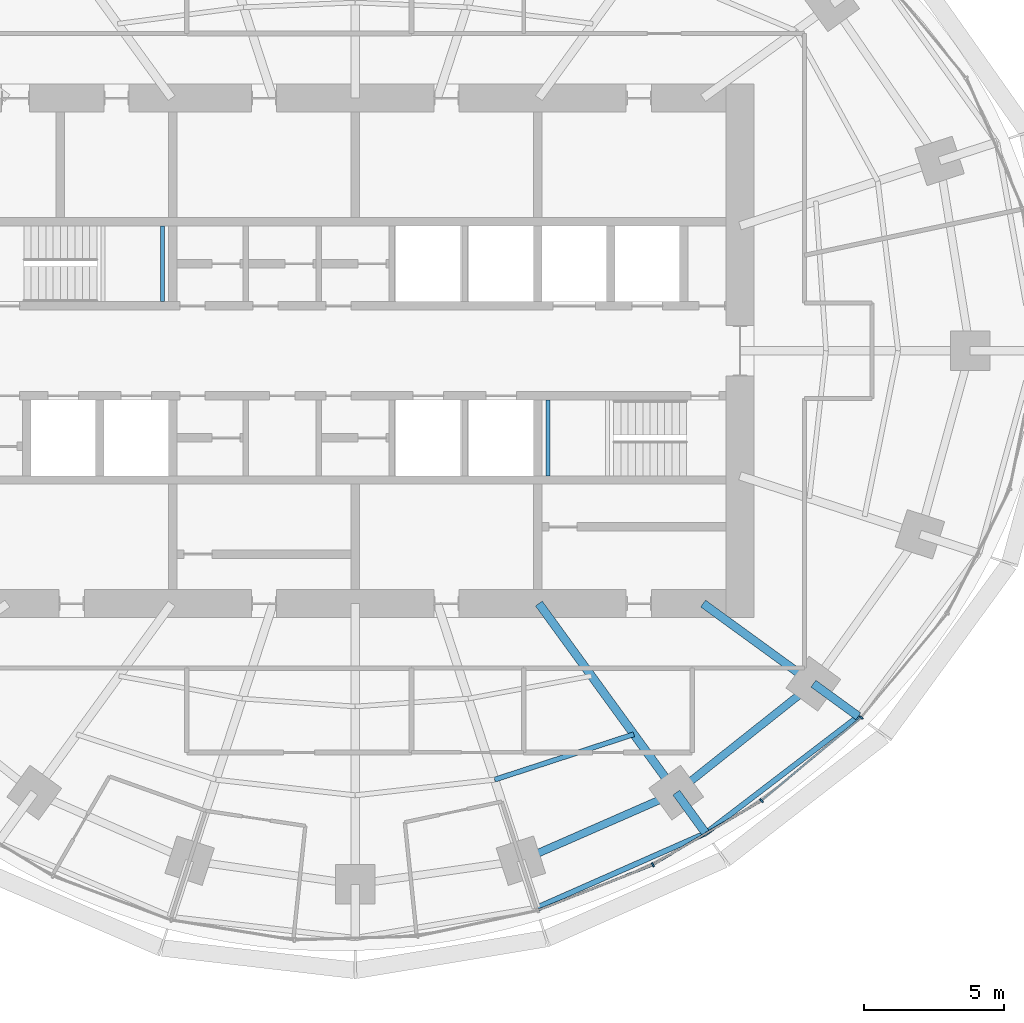
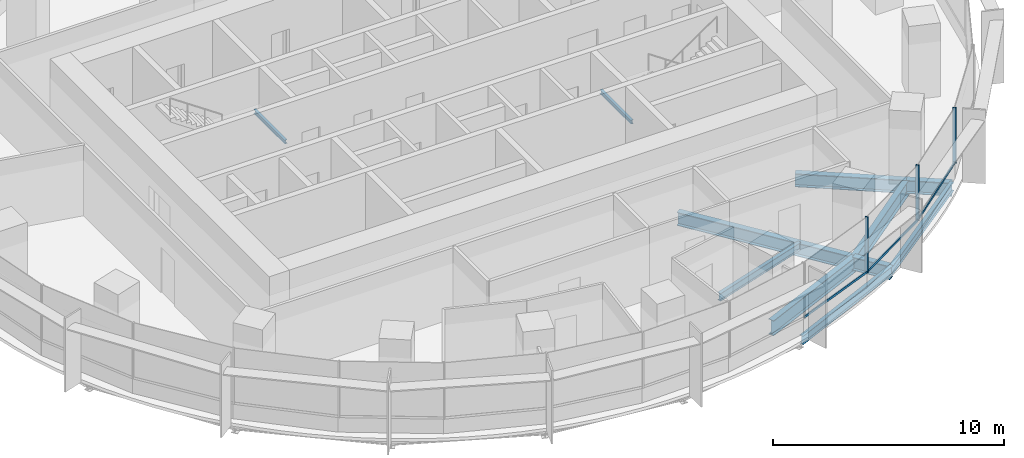
# One storey, part 5 of 15: 11 beams, 6 members, 2 elements without a shape of their own.
"""IFC4 building model written with IfcOpenShell, lengths in metres."""

from ifc_helpers import new_model, si_unit, direction, frame, origin, origin_2d, place, context, subcontext, project, spatial, rectangle, i_section, extrude, material, material_profile, profile_set, type_object, element, aggregate, save


model = new_model("IFC4")

# Units and contexts
model_context = context("Model", 3, precision=1e-05, world=origin(), true_north=direction((0.0, 1.0)))
body_context = subcontext(model_context, "Body", "Model", "MODEL_VIEW")
ifc_project = project(units=[si_unit("LENGTHUNIT", "METRE"), si_unit("AREAUNIT", "SQUARE_METRE"), si_unit("VOLUMEUNIT", "CUBIC_METRE"), si_unit("PLANEANGLEUNIT", "RADIAN"), si_unit("MASSUNIT", "GRAM", prefix="KILO")], contexts=[model_context])

# Site, building, storey
site_placement = place(None, origin())
site = spatial("IfcSite", under=ifc_project, at=site_placement, CompositionType="ELEMENT")
building_placement = place(site_placement, origin())
building = spatial("IfcBuilding", under=site, at=building_placement, Name="Marramba Exchange Tower", CompositionType="ELEMENT")
storey_placement = place(building_placement, frame((0.0, 0.0, 226.699951171875)))
storey = spatial("IfcBuildingStorey", under=building, at=storey_placement, Name="L55", CompositionType="ELEMENT", Elevation=226.699951171875)

# Beams
ifc_material_1 = material(Name="Steel AS/NZS 3679.2 grade 300", Category="steel")
ifc_material_profile_1 = material_profile(ifc_material_1, i_section(OverallWidth=0.300048828125, OverallDepth=0.699951171875, WebThickness=0.010009765625, FlangeThickness=0.031982421875, at=origin_2d()), Name="700WB173")
ifc_profile_set_1 = profile_set([ifc_material_profile_1], Name="Steel AS/NZS 3679.2 grade 300")
beam_type_1 = type_object("IfcBeamType", Name="Cantilever girder 700WB173", PredefinedType="BEAM", material=ifc_profile_set_1)
beam_1_placement = place(storey_placement, frame((11.430419921875, -15.732666015625, -0.510009765625), z_axis=(0.58783009415, -0.808984412959, 0.0), x_axis=(0.808984412959, 0.58783009415, 0.0)))
element("IfcBeam", 1, at=beam_1_placement, inside=storey, type_object=beam_type_1, Name="Cantilever girder L55 TC18", PredefinedType="BEAM", context=body_context, shape_type="SweptSolid", body=[
    extrude(i_section(OverallWidth=0.300048828125, OverallDepth=0.699951171875, WebThickness=0.010009765625, FlangeThickness=0.031982421875, at=origin_2d()), origin(), (0.0, 0.0, 1.0), 1.78515625),
])
beam_2_placement = place(storey_placement, frame((16.3154296875, -11.853759765625, -0.510009765625), z_axis=(0.808970801893, -0.587848825537, 0.0), x_axis=(0.587848825537, 0.808970801893, 0.0)))
element("IfcBeam", 2, at=beam_2_placement, inside=storey, type_object=beam_type_1, Name="Cantilever girder L55 TC19", PredefinedType="BEAM", context=body_context, shape_type="SweptSolid", body=[
    extrude(i_section(OverallWidth=0.300048828125, OverallDepth=0.699951171875, WebThickness=0.010009765625, FlangeThickness=0.031982421875, at=origin_2d()), origin(), (0.0, 0.0, 1.0), 1.978515625),
])
ifc_material_2 = material(Name="Steel AS/NZS 3679.1 grade 300", Category="steel")
ifc_material_profile_2 = material_profile(ifc_material_2, i_section(OverallWidth=0.177978515625, OverallDepth=0.406005859375, WebThickness=0.0078125, FlangeThickness=0.0126953125, FilletRadius=0.011474609375, at=origin_2d()), Name="410UB59.7")
ifc_profile_set_2 = profile_set([ifc_material_profile_2], Name="Steel AS/NZS 3679.1 grade 300")
beam_type_2 = type_object("IfcBeamType", Name="Floor joist 410UB59.7", PredefinedType="JOIST", material=ifc_profile_set_2)
beam_3_placement = place(storey_placement, frame((4.9619140625, -15.271484375, -0.363037109375), z_axis=(0.950764024931, 0.309915744834, 0.0), x_axis=(-0.309915744834, 0.950764024931, 0.0)))
element("IfcBeam", 3, at=beam_3_placement, inside=storey, type_object=beam_type_2, Name="Joist L55 bay 17 row 2", PredefinedType="JOIST", context=body_context, shape_type="SweptSolid", body=[
    extrude(i_section(OverallWidth=0.177978515625, OverallDepth=0.406005859375, WebThickness=0.0078125, FlangeThickness=0.0126953125, FilletRadius=0.011474609375, at=origin_2d()), origin(), (0.0, 0.0, 1.0), 5.2158203125),
])

# Curtain wall, members
ifc_material_3 = material(Name="Aluminium framing, bronze anodised", Category="aluminium")
curtain_wall_type = type_object("IfcCurtainWallType", Name="Office ribbon curtain wall", PredefinedType="USERDEFINED", material=ifc_material_3)
curtain_wall_1_placement = place(storey_placement, origin())
curtain_wall_1 = element("IfcCurtainWall", 4, at=curtain_wall_1_placement, inside=storey, type_object=curtain_wall_type, Name="Curtain wall CW4 L55 F26-F30", ObjectType="RIBBON CURTAIN WALL", PredefinedType="USERDEFINED")
ifc_material_4 = material(Name="Aluminium mullion, bronze anodised", Category="aluminium")
ifc_material_profile_3 = material_profile(ifc_material_4, rectangle(XDim=0.159912109375, YDim=0.06005859375, at=origin_2d()), Name="CW4 mullion 60x160")
ifc_profile_set_3 = profile_set([ifc_material_profile_3], Name="Aluminium mullion, bronze anodised")
member_type_1 = type_object("IfcMemberType", Name="Office ribbon curtain wall mullion", PredefinedType="MULLION", material=ifc_profile_set_3)
member_1_placement = place(storey_placement, frame((10.60009765625, -18.2998046875, 0.800048828125), z_axis=(0.0, 0.0, 1.0), x_axis=(-0.508010571686, 0.861350833897, 0.0)))
member_1 = element("IfcMember", 5, at=member_1_placement, type_object=member_type_1, Name="CW4 mullion 1", PredefinedType="MULLION", context=body_context, shape_type="SweptSolid", body=[
    extrude(rectangle(XDim=0.159912109375, YDim=0.06005859375, at=origin_2d()), origin(), (0.0, 0.0, 1.0), 2.93994140625),
])
member_2_placement = place(storey_placement, frame((14.461669921875, -16.0166015625, 0.800048828125), z_axis=(0.0, 0.0, 1.0), x_axis=(-0.639565270127, 0.768736798421, 0.0)))
member_2 = element("IfcMember", 6, at=member_2_placement, type_object=member_type_1, Name="CW4 mullion 1", PredefinedType="MULLION", context=body_context, shape_type="SweptSolid", body=[
    extrude(rectangle(XDim=0.159912109375, YDim=0.06005859375, at=origin_2d()), origin(), (0.0, 0.0, 1.0), 2.93994140625),
])
member_3_placement = place(storey_placement, frame((18.01611328125, -13.052490234375, 0.800048828125), z_axis=(0.0, 0.0, 1.0), x_axis=(-0.769912069289, 0.63814998673, 0.0)))
member_3 = element("IfcMember", 7, at=member_3_placement, type_object=member_type_1, Name="CW4 mullion 1", PredefinedType="MULLION", context=body_context, shape_type="SweptSolid", body=[
    extrude(rectangle(XDim=0.159912109375, YDim=0.06005859375, at=origin_2d()), origin(), (0.0, 0.0, 1.0), 2.93994140625),
])

# Curtain wall, member
curtain_wall_2_placement = place(storey_placement, origin())
curtain_wall_2 = element("IfcCurtainWall", 8, at=curtain_wall_2_placement, inside=storey, type_object=curtain_wall_type, Name="Curtain wall CW4 L55 F21-F25", ObjectType="RIBBON CURTAIN WALL", PredefinedType="USERDEFINED")
ifc_material_5 = material(Name="Aluminium transom, bronze anodised", Category="aluminium")
ifc_material_profile_4 = material_profile(ifc_material_5, rectangle(XDim=0.06005859375, YDim=0.1201171875, at=origin_2d()), Name="CW4 transom 60x120")
ifc_profile_set_4 = profile_set([ifc_material_profile_4], Name="Aluminium transom, bronze anodised")
member_type_2 = type_object("IfcMemberType", Name="Office ribbon curtain wall transom", PredefinedType="USERDEFINED", material=ifc_profile_set_4)
member_4_placement = place(storey_placement, frame((6.53271484375, -19.911376953125, 0.830078125), z_axis=(0.930068344217, 0.367386547229, 0.0), x_axis=(-0.367386547229, 0.930068344217, 0.0)))
member_4 = element("IfcMember", 9, at=member_4_placement, type_object=member_type_2, Name="CW4 sill transom", ObjectType="TRANSOM", PredefinedType="USERDEFINED", context=body_context, shape_type="SweptSolid", body=[
    extrude(rectangle(XDim=0.06005859375, YDim=0.1201171875, at=origin_2d()), origin(), (0.0, 0.0, 1.0), 4.345458984375),
])
aggregate(curtain_wall_2, [member_4])

# Member
member_5_placement = place(storey_placement, frame((10.6259765625, -18.28466796875, 0.830078125), z_axis=(0.861342387959, 0.508024891816, 0.0), x_axis=(-0.508024891816, 0.861342387959, 0.0)))
member_5 = element("IfcMember", 10, at=member_5_placement, type_object=member_type_2, Name="CW4 sill transom", ObjectType="TRANSOM", PredefinedType="USERDEFINED", context=body_context, shape_type="SweptSolid", body=[
    extrude(rectangle(XDim=0.06005859375, YDim=0.1201171875, at=origin_2d()), origin(), (0.0, 0.0, 1.0), 4.426513671875),
])

member_6_placement = place(storey_placement, frame((14.48486328125, -15.99755859375, 0.830078125), z_axis=(0.768707257272, 0.639600775967, 0.0), x_axis=(-0.639600775967, 0.768707257272, 0.0)))
member_6 = element("IfcMember", 11, at=member_6_placement, type_object=member_type_2, Name="CW4 sill transom", ObjectType="TRANSOM", PredefinedType="USERDEFINED", context=body_context, shape_type="SweptSolid", body=[
    extrude(rectangle(XDim=0.06005859375, YDim=0.1201171875, at=origin_2d()), origin(), (0.0, 0.0, 1.0), 4.568603515625),
])

aggregate(curtain_wall_1, [member_1, member_5, member_2, member_6, member_3])

# Beams
ifc_material_profile_5 = material_profile(ifc_material_1, i_section(OverallWidth=0.300048828125, OverallDepth=0.699951171875, WebThickness=0.010009765625, FlangeThickness=0.031982421875, at=origin_2d()), Name="700WB173")
ifc_profile_set_5 = profile_set([ifc_material_profile_5], Name="Steel AS/NZS 3679.2 grade 300")
beam_type_3 = type_object("IfcBeamType", Name="Radial girder 700WB173", PredefinedType="BEAM", material=ifc_profile_set_5)
beam_4_placement = place(storey_placement, frame((6.538818359375, -9.0, -0.510009765625), z_axis=(0.587787877172, -0.809015087282, 0.0), x_axis=(0.809015087282, 0.587787877172, 0.0)))
element("IfcBeam", 12, at=beam_4_placement, inside=storey, type_object=beam_type_3, Name="Radial girder L55 TC18", PredefinedType="BEAM", context=body_context, shape_type="SweptSolid", body=[
    extrude(i_section(OverallWidth=0.300048828125, OverallDepth=0.699951171875, WebThickness=0.010009765625, FlangeThickness=0.031982421875, at=origin_2d()), origin(), (0.0, 0.0, 1.0), 8.322021484375),
])
beam_5_placement = place(storey_placement, frame((12.387451171875, -9.0, -0.510009765625), z_axis=(0.809025189606, -0.58777397236, 0.0), x_axis=(0.58777397236, 0.809025189606, 0.0)))
element("IfcBeam", 13, at=beam_5_placement, inside=storey, type_object=beam_type_3, Name="Radial girder L55 TC19", PredefinedType="BEAM", context=body_context, shape_type="SweptSolid", body=[
    extrude(i_section(OverallWidth=0.300048828125, OverallDepth=0.699951171875, WebThickness=0.010009765625, FlangeThickness=0.031982421875, at=origin_2d()), origin(), (0.0, 0.0, 1.0), 4.855224609375),
])
ifc_material_profile_6 = material_profile(ifc_material_1, i_section(OverallWidth=0.27490234375, OverallDepth=0.800048828125, WebThickness=0.010009765625, FlangeThickness=0.02490234375, at=origin_2d()), Name="800WB168")
ifc_profile_set_6 = profile_set([ifc_material_profile_6], Name="Steel AS/NZS 3679.2 grade 300")
beam_type_4 = type_object("IfcBeamType", Name="Ring beam 800WB168", PredefinedType="SPANDREL", material=ifc_profile_set_6)
beam_6_placement = place(storey_placement, frame((5.899658203125, -18.156982421875, -0.56005859375), z_axis=(0.915876892158, 0.4014592363, 0.0), x_axis=(-0.4014592363, 0.915876892158, 0.0)))
element("IfcBeam", 14, at=beam_6_placement, inside=storey, type_object=beam_type_4, Name="Ring beam L55 TC17-TC18", PredefinedType="SPANDREL", context=body_context, shape_type="SweptSolid", body=[
    extrude(i_section(OverallWidth=0.27490234375, OverallDepth=0.800048828125, WebThickness=0.010009765625, FlangeThickness=0.02490234375, at=origin_2d()), origin(), (0.0, 0.0, 1.0), 6.038818359375),
])
beam_7_placement = place(storey_placement, frame((11.430419921875, -15.732666015625, -0.56005859375), z_axis=(0.783139438128, 0.621846138887, 0.0), x_axis=(-0.621846138887, 0.783139438128, 0.0)))
element("IfcBeam", 15, at=beam_7_placement, inside=storey, type_object=beam_type_4, Name="Ring beam L55 TC18-TC19", PredefinedType="SPANDREL", context=body_context, shape_type="SweptSolid", body=[
    extrude(i_section(OverallWidth=0.27490234375, OverallDepth=0.800048828125, WebThickness=0.010009765625, FlangeThickness=0.02490234375, at=origin_2d()), origin(), (0.0, 0.0, 1.0), 6.23779296875),
])
ifc_material_profile_7 = material_profile(ifc_material_2, i_section(OverallWidth=0.19091796875, OverallDepth=0.4599609375, WebThickness=0.010009765625, FlangeThickness=0.01611328125, FilletRadius=0.011474609375, at=origin_2d()), Name="460UB82.1")
ifc_profile_set_7 = profile_set([ifc_material_profile_7], Name="Steel AS/NZS 3679.1 grade 300")
beam_type_5 = type_object("IfcBeamType", Name="Slab edge beam 460UB82.1", PredefinedType="SPANDREL", material=ifc_profile_set_7)
beam_8_placement = place(storey_placement, frame((6.44580078125, -19.83837890625, -0.389892578125), z_axis=(0.914940719579, 0.403588255102, 0.0), x_axis=(-0.403588255102, 0.914940719579, 0.0)))
element("IfcBeam", 16, at=beam_8_placement, inside=storey, type_object=beam_type_5, Name="Slab edge beam L55 TC17-TC18", PredefinedType="SPANDREL", context=body_context, shape_type="SweptSolid", body=[
    extrude(i_section(OverallWidth=0.19091796875, OverallDepth=0.4599609375, WebThickness=0.010009765625, FlangeThickness=0.01611328125, FilletRadius=0.011474609375, at=origin_2d()), origin(), (0.0, 0.0, 1.0), 6.594970703125),
])
beam_9_placement = place(storey_placement, frame((12.479736328125, -17.1767578125, -0.389892578125), z_axis=(0.794163423189, 0.607704251481, 0.0), x_axis=(-0.607704251481, 0.794163423189, 0.0)))
element("IfcBeam", 17, at=beam_9_placement, inside=storey, type_object=beam_type_5, Name="Slab edge beam L55 TC18-TC19", PredefinedType="SPANDREL", context=body_context, shape_type="SweptSolid", body=[
    extrude(i_section(OverallWidth=0.19091796875, OverallDepth=0.4599609375, WebThickness=0.010009765625, FlangeThickness=0.01611328125, FilletRadius=0.011474609375, at=origin_2d()), origin(), (0.0, 0.0, 1.0), 6.84521484375),
])
ifc_material_profile_8 = material_profile(ifc_material_2, i_section(OverallWidth=0.133056640625, OverallDepth=0.202880859375, WebThickness=0.005859375, FlangeThickness=0.0078125, FilletRadius=0.0087890625, at=origin_2d()), Name="200UB25.4")
ifc_profile_set_8 = profile_set([ifc_material_profile_8], Name="Steel AS/NZS 3679.1 grade 300")
beam_type_6 = type_object("IfcBeamType", Name="Stair landing beam 200UB25.4", PredefinedType="BEAM", material=ifc_profile_set_8)
for number, where, z_axis, x_axis, name in (
    (18, (-6.866455078125, 1.75, 1.6484375), (0.0, 1.0, 0.0), (-1.0, 0.0, 0.0), "Stair landing beam SLB1 ST1 L55 2"),
    (19, (6.866455078125, -4.449951171875, 1.6484375), (0.0, 1.0, 0.0), (-1.0, 0.0, 0.0), "Stair landing beam SLB1 ST2 L55 1"),
):
    element("IfcBeam", number, at=place(storey_placement, frame(where, z_axis=z_axis, x_axis=x_axis)), inside=storey, type_object=beam_type_6, Name=name, PredefinedType="BEAM", context=body_context, shape_type="SweptSolid", body=[
        extrude(i_section(OverallWidth=0.133056640625, OverallDepth=0.202880859375, WebThickness=0.005859375, FlangeThickness=0.0078125, FilletRadius=0.0087890625, at=origin_2d()), origin(), (0.0, 0.0, 1.0), 2.699951171875),
    ])

save(model, "model.ifc")
